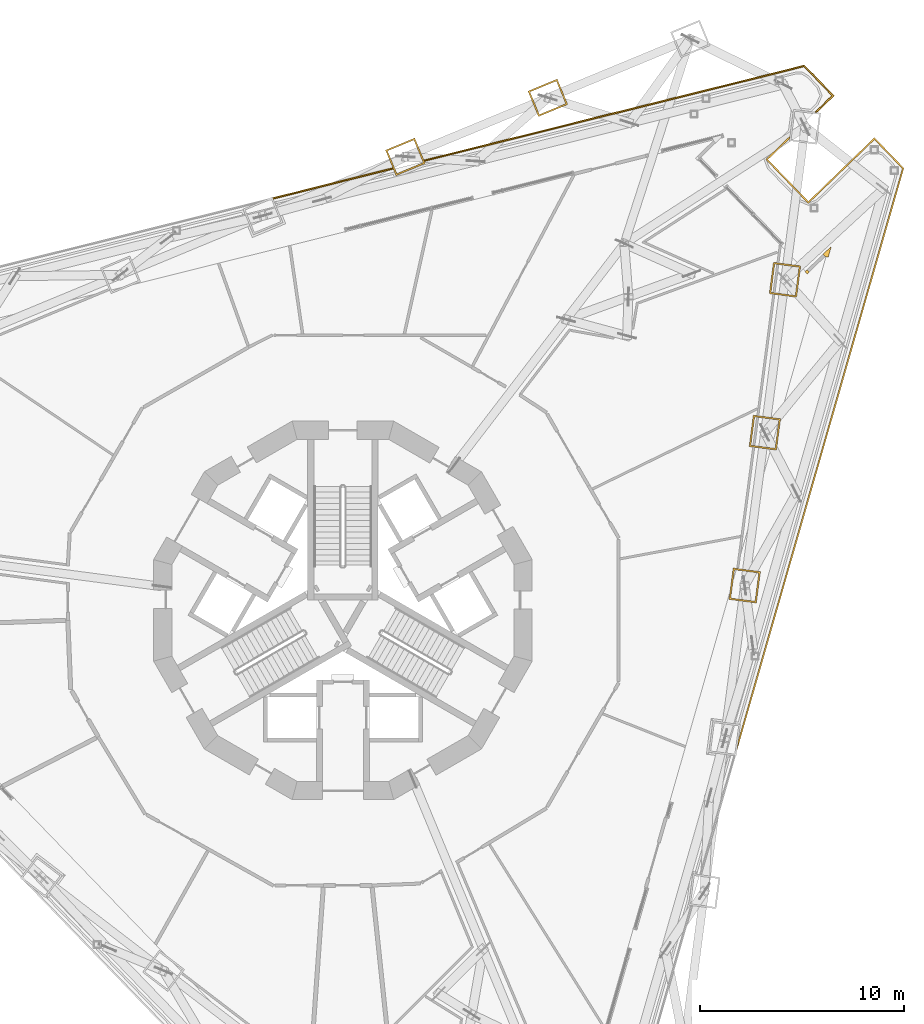
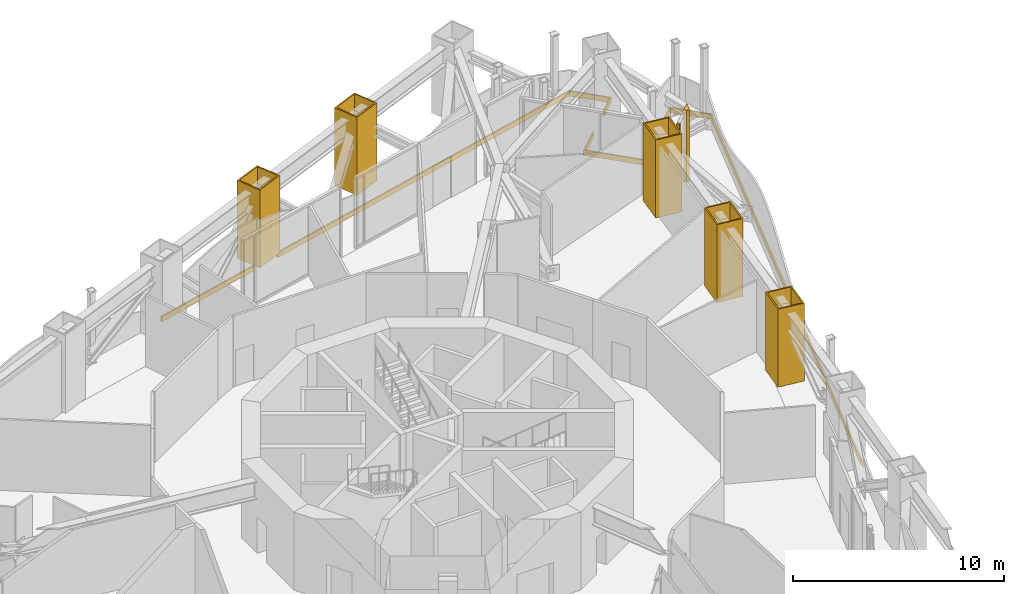
# One storey, part 25 of 26: 10 coverings.
"""IFC4 building model written with IfcOpenShell, lengths in metres."""

from ifc_helpers import new_model, si_unit, direction, frame, origin, place, context, subcontext, project, spatial, polyline, outline, extrude, material, layer, layer_set, type_object, element, save


model = new_model("IFC4")

# Units and contexts
model_context = context("Model", 3, precision=1e-05, world=origin(), true_north=direction((0.0, 1.0)))
body_context = subcontext(model_context, "Body", "Model", "MODEL_VIEW")
ifc_project = project(units=[si_unit("LENGTHUNIT", "METRE"), si_unit("AREAUNIT", "SQUARE_METRE"), si_unit("VOLUMEUNIT", "CUBIC_METRE"), si_unit("PLANEANGLEUNIT", "RADIAN"), si_unit("MASSUNIT", "GRAM", prefix="KILO")], contexts=[model_context])

# Site, building, storey
site_placement = place(None, origin())
site = spatial("IfcSite", under=ifc_project, at=site_placement, CompositionType="ELEMENT")
building_placement = place(site_placement, origin())
building = spatial("IfcBuilding", under=site, at=building_placement, Name="Trine Commons Tower", CompositionType="ELEMENT")
storey_placement = place(building_placement, frame((0.0, 0.0, 119.699951171875)))
storey = spatial("IfcBuildingStorey", under=building, at=storey_placement, Name="L30", CompositionType="ELEMENT", Elevation=119.699951171875)

# Coverings
ifc_material_1 = material(Name="Aluminium-framed insulated wall panel", Category="aluminium")
ifc_layer_1 = layer(ifc_material_1, 0.14990234375)
ifc_layer_set_1 = layer_set([ifc_layer_1], Name="Aluminium-framed insulated wall panel")
covering_type_1 = type_object("IfcCoveringType", Name="Glazing corner post, aluminium", PredefinedType="CLADDING", material=ifc_layer_set_1)
covering_1_placement = place(storey_placement, origin())
element("IfcCovering", 1, at=covering_1_placement, inside=storey, type_object=covering_type_1, Name="Glazing corner post 3-07", PredefinedType="CLADDING", context=body_context, shape_type="SweptSolid", body=[
    extrude(outline(polyline([(102.62890625, 79.083740234375), (102.73291015625, 78.975830078125), (102.8408203125, 79.080078125), (102.73681640625, 79.18798828125), (102.73681640625, 79.18798828125), (102.62890625, 79.083740234375)])), origin(), (0.0, 0.0, 1.0), 4.150146484375),
])
covering_2_placement = place(storey_placement, origin())
element("IfcCovering", 2, at=covering_2_placement, inside=storey, type_object=covering_type_1, Name="Glazing corner post 3-08", PredefinedType="CLADDING", context=body_context, shape_type="SweptSolid", body=[
    extrude(outline(polyline([(103.76611328125, 79.79296875), (103.92041015625, 80.3310546875), (103.517578125, 79.942138671875), (103.621826171875, 79.834228515625), (103.76611328125, 79.79296875)])), origin(), (0.0, 0.0, 1.0), 4.150146484375),
])
ifc_material_2 = material(Name="Limestone, honed", Category="masonry")
ifc_layer_2 = layer(ifc_material_2, 0.074951171875)
ifc_layer_set_2 = layer_set([ifc_layer_2], Name="Limestone, honed")
covering_type_2 = type_object("IfcCoveringType", Name="Limestone column cladding 75", PredefinedType="CLADDING", material=ifc_layer_set_2)
covering_3_placement = place(storey_placement, origin())
element("IfcCovering", 3, at=covering_3_placement, inside=storey, type_object=covering_type_2, Name="Limestone pier cladding 4-14", PredefinedType="CLADDING", context=body_context, shape_type="SweptSolid", body=[
    extrude(outline(polyline([(84.03369140625, 84.38818359375), (83.51708984375, 85.63525390625), (82.085205078125, 85.0419921875), (82.601806640625, 83.794921875), (84.03369140625, 84.38818359375)]), holes=[polyline([(83.935791015625, 84.4287109375), (83.4765625, 85.537353515625), (82.18310546875, 85.00146484375), (82.642333984375, 83.892822265625), (83.935791015625, 84.4287109375)])]), origin(), (0.0, 0.0, 1.0), 4.5),
])
covering_4_placement = place(storey_placement, origin())
element("IfcCovering", 4, at=covering_4_placement, inside=storey, type_object=covering_type_2, Name="Limestone pier cladding 4-15", PredefinedType="CLADDING", context=body_context, shape_type="SweptSolid", body=[
    extrude(outline(polyline([(91.010986328125, 87.278076171875), (90.494384765625, 88.525390625), (89.062255859375, 87.93212890625), (89.578857421875, 86.684814453125), (91.010986328125, 87.278076171875)]), holes=[polyline([(90.912841796875, 87.318603515625), (90.45361328125, 88.42724609375), (89.160400390625, 87.8916015625), (89.619384765625, 86.782958984375), (90.912841796875, 87.318603515625)])]), origin(), (0.0, 0.0, 1.0), 4.5),
])
covering_5_placement = place(storey_placement, origin())
element("IfcCovering", 5, at=covering_5_placement, inside=storey, type_object=covering_type_2, Name="Limestone pier cladding 4-18", PredefinedType="CLADDING", context=body_context, shape_type="SweptSolid", body=[
    extrude(outline(polyline([(102.42236328125, 79.37255859375), (101.083984375, 79.548583984375), (100.881591796875, 78.011962890625), (102.22021484375, 77.835693359375), (102.42236328125, 79.37255859375)]), holes=[polyline([(102.338134765625, 79.307861328125), (101.1484375, 79.464599609375), (100.9658203125, 78.076416015625), (102.155517578125, 77.919921875), (102.338134765625, 79.307861328125)])]), origin(), (0.0, 0.0, 1.0), 4.5),
])
covering_6_placement = place(storey_placement, origin())
element("IfcCovering", 6, at=covering_6_placement, inside=storey, type_object=covering_type_2, Name="Limestone pier cladding 4-19", PredefinedType="CLADDING", context=body_context, shape_type="SweptSolid", body=[
    extrude(outline(polyline([(101.4365234375, 71.88525390625), (100.09814453125, 72.061279296875), (99.895751953125, 70.524658203125), (101.234375, 70.348388671875), (101.4365234375, 71.88525390625)]), holes=[polyline([(101.352294921875, 71.820556640625), (100.16259765625, 71.977294921875), (99.97998046875, 70.589111328125), (101.169677734375, 70.4326171875), (101.352294921875, 71.820556640625)])]), origin(), (0.0, 0.0, 1.0), 4.5),
])
covering_7_placement = place(storey_placement, origin())
element("IfcCovering", 7, at=covering_7_placement, inside=storey, type_object=covering_type_2, Name="Limestone pier cladding 4-20", PredefinedType="CLADDING", context=body_context, shape_type="SweptSolid", body=[
    extrude(outline(polyline([(100.450927734375, 64.39794921875), (99.1123046875, 64.57421875), (98.91015625, 63.037353515625), (100.24853515625, 62.861083984375), (100.450927734375, 64.39794921875)]), holes=[polyline([(100.36669921875, 64.333251953125), (99.177001953125, 64.489990234375), (98.994384765625, 63.101806640625), (100.18408203125, 62.9453125), (100.36669921875, 64.333251953125)])]), origin(), (0.0, 0.0, 1.0), 4.5),
])
ifc_layer_3 = layer(ifc_material_2, 0.074951171875)
ifc_layer_set_3 = layer_set([ifc_layer_3], Name="Limestone, honed")
covering_type_3 = type_object("IfcCoveringType", Name="Limestone spandrel panel 75", PredefinedType="CLADDING", material=ifc_layer_set_3)
covering_8_placement = place(storey_placement, frame((0.0, 0.0, -0.300048828125)))
element("IfcCovering", 8, at=covering_8_placement, inside=storey, type_object=covering_type_3, Name="Limestone spandrel panel 3-05", PredefinedType="CLADDING", context=body_context, shape_type="SweptSolid", body=[
    extrude(outline(polyline([(100.815185546875, 84.58203125), (101.882080078125, 85.6123046875), (101.89794921875, 85.731689453125), (100.709228515625, 84.583984375), (102.793212890625, 82.426025390625), (106.0302734375, 85.552001953125), (107.394775390625, 84.13916015625), (99.36181640625, 56.125), (99.29541015625, 55.6220703125), (107.478759765625, 84.159912109375), (106.031982421875, 85.657958984375), (102.795166015625, 82.531982421875), (100.815185546875, 84.58203125)])), origin(), (0.0, 0.0, 1.0), 0.300048828125),
])
covering_9_placement = place(storey_placement, frame((0.0, 0.0, -0.300048828125)))
element("IfcCovering", 9, at=covering_9_placement, inside=storey, type_object=covering_type_3, Name="Limestone spandrel panel 3-06", PredefinedType="CLADDING", context=body_context, shape_type="SweptSolid", body=[
    extrude(outline(polyline([(102.605712890625, 89.2060546875), (83.96337890625, 84.55810546875), (83.992431640625, 84.48779296875), (102.581787109375, 89.122802734375), (103.9462890625, 87.7099609375), (103.107177734375, 86.8994140625), (103.2021484375, 86.886962890625), (104.052490234375, 87.7080078125), (102.605712890625, 89.2060546875)])), origin(), (0.0, 0.0, 1.0), 0.300048828125),
])
covering_10_placement = place(storey_placement, frame((0.0, 0.0, -0.300048828125)))
element("IfcCovering", 10, at=covering_10_placement, inside=storey, type_object=covering_type_3, Name="Limestone spandrel panel 3-07", PredefinedType="CLADDING", context=body_context, shape_type="SweptSolid", body=[
    extrude(outline(polyline([(82.44287109375, 84.1787109375), (76.554443359375, 82.710693359375), (76.58349609375, 82.640625), (82.4716796875, 84.10888671875), (82.44287109375, 84.1787109375)])), origin(), (0.0, 0.0, 1.0), 0.300048828125),
])

save(model, "model.ifc")
